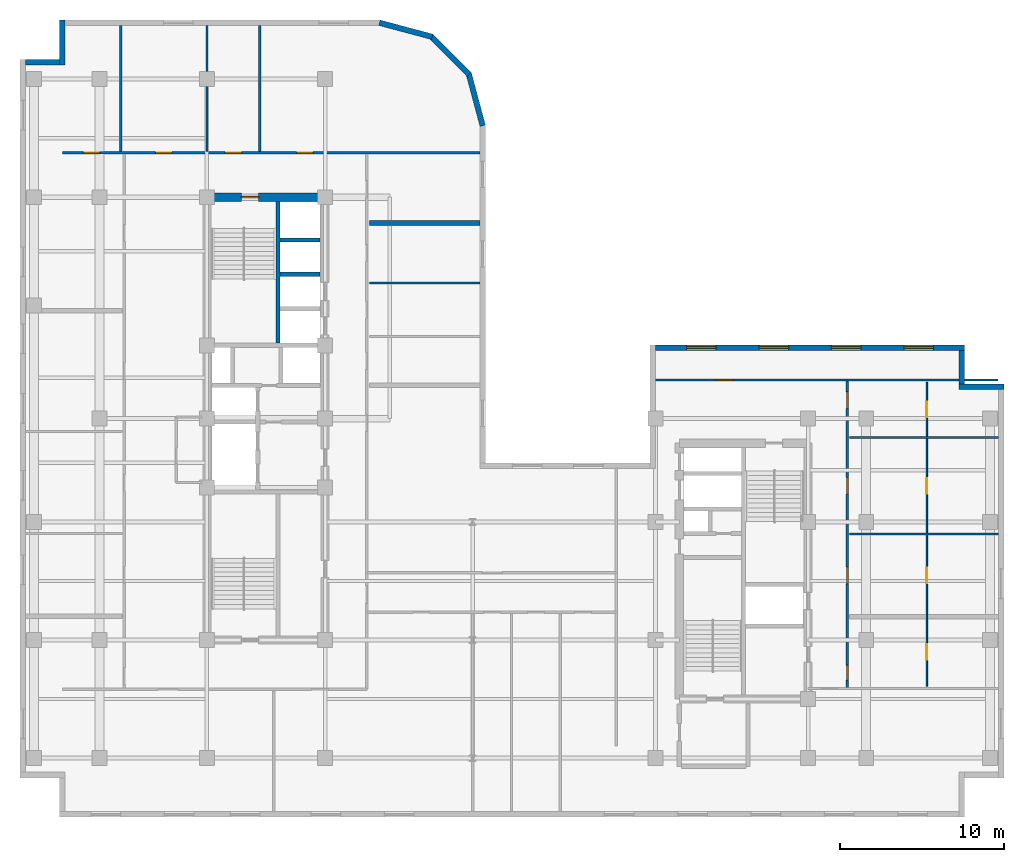
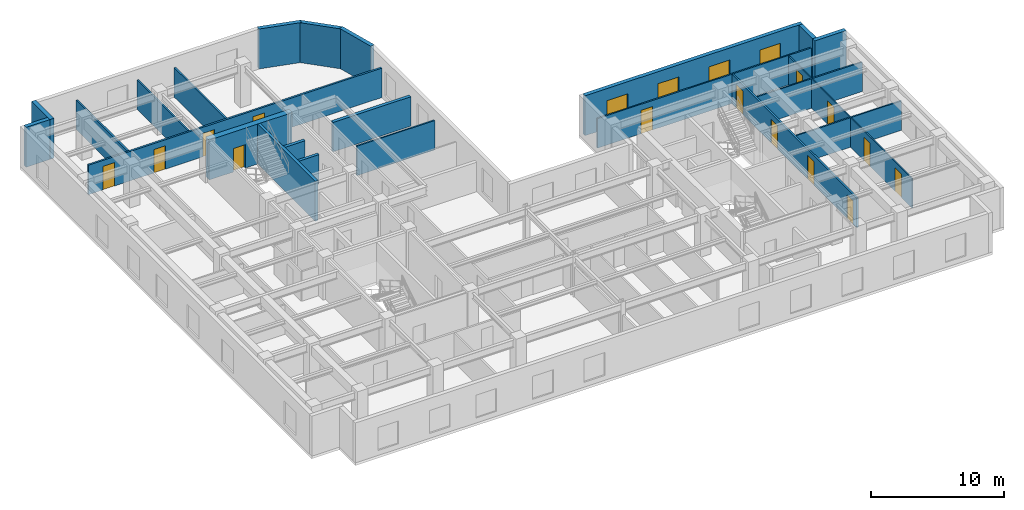
# One storey, part 7 of 11: 23 walls, 14 doors, 4 windows, 18 openings.
"""IFC4 building model written with IfcOpenShell, lengths in metres."""

from ifc_helpers import new_model, entity, si_unit, converted_unit, direction, frame, origin_with_axes, origin_2d_with_axis, place, context, subcontext, project, spatial, polyline, rectangle, outline, extrude, material, layer, layer_set, type_object, element, fill, save


model = new_model("IFC4")

# Units and contexts
model_context = context("Model", 3, precision=1e-05, world=origin_with_axes(), true_north=direction((0.0, 1.0)))
body_context = subcontext(model_context, "Body", "Model", "MODEL_VIEW")
ifc_project = project(units=[si_unit("LENGTHUNIT", "METRE"), si_unit("AREAUNIT", "SQUARE_METRE"), si_unit("VOLUMEUNIT", "CUBIC_METRE"), converted_unit("PLANEANGLEUNIT", "DEGREE", entity("IfcPlaneAngleMeasure", 0.017453292519943295), si_unit("PLANEANGLEUNIT", "RADIAN"), dimensions=[0, 0, 0, 0, 0, 0, 0]), si_unit("MASSUNIT", "GRAM", prefix="KILO"), si_unit("THERMODYNAMICTEMPERATUREUNIT", "KELVIN")], contexts=[model_context])

# Site, building, storey
site_placement = place(None, origin_with_axes())
site = spatial("IfcSite", under=ifc_project, at=site_placement, CompositionType="ELEMENT")
building_placement = place(site_placement, origin_with_axes())
building = spatial("IfcBuilding", under=site, at=building_placement, Name="Varnlund Millrace Tower", CompositionType="ELEMENT")
storey_placement = place(building_placement, frame((0.0, 0.0, 196.5), z_axis=(0.0, 0.0, 1.0), x_axis=(1.0, 0.0, 0.0)))
storey = spatial("IfcBuildingStorey", under=building, at=storey_placement, Name="L48", CompositionType="ELEMENT", Elevation=196.5)

# Wall, opening, door
ifc_material_1 = material(Name="Concrete C70/85", Category="concrete")
ifc_layer_1 = layer(ifc_material_1, 0.5, Name="Concrete C70/85")
ifc_layer_set_1 = layer_set([ifc_layer_1], Name="Concrete C70/85")
wall_type_1 = type_object("IfcWallType", Name="Type-CoreWall-Shear-500-C70", PredefinedType="SHEAR", material=ifc_layer_set_1)
wall_1_placement = place(storey_placement, frame((11.4, 37.8, 0.0), z_axis=(0.0, 0.0, 1.0), x_axis=(1.0, 0.0, 0.0)))
wall_1 = element("IfcWall", 1, at=wall_1_placement, inside=storey, type_object=wall_type_1, Name="Type-CoreWall-Shear-500-C70", PredefinedType="SHEAR", context=body_context, shape_type="SweptSolid", body=[
    extrude(outline(polyline([(0.0, -0.25), (7.2, -0.25), (7.2, 0.25), (0.0, 0.25), (0.0, -0.25)])), origin_with_axes(), (0.0, 0.0, 1.0), 3.66),
])
opening_1_placement = place(wall_1_placement, frame((2.625, 0.0, 0.0), z_axis=(0.0, 0.0, 1.0), x_axis=(1.0, 0.0, 0.0)))
opening_1 = element("IfcOpeningElement", 2, at=opening_1_placement, cuts=wall_1, Name="Opening L48:DR-STA2", PredefinedType="OPENING", context=body_context, shape_type="SweptSolid", body=[
    extrude(rectangle(XDim=1.05, YDim=0.52, at=origin_2d_with_axis()), origin_with_axes(), (0.0, 0.0, 1.0), 2.15),
])
ifc_material_2 = material(Name="Fire-rated hollow steel door", Category="steel")
door_type_1 = type_object("IfcDoorType", Name="Type-FireDoor-Stair-1050X2150", OperationType="NOTDEFINED", PredefinedType="DOOR", material=ifc_material_2)
door_1_placement = place(wall_1_placement, frame((2.625, 0.0, 0.0), z_axis=(0.0, 0.0, 1.0), x_axis=(1.0, 0.0, 0.0)))
door_1 = element("IfcDoor", 3, at=door_1_placement, inside=storey, type_object=door_type_1, Name="Type-FireDoor-Stair-1050X2150", OperationType="SINGLE_SWING_RIGHT", OverallHeight=2.15, OverallWidth=1.05, PredefinedType="DOOR", context=body_context, shape_type="SweptSolid", body=[
    extrude(rectangle(XDim=1.05, YDim=0.09, at=origin_2d_with_axis()), origin_with_axes(), (0.0, 0.0, 1.0), 2.15),
])
fill(opening_1, door_1)

# Wall, openings, windows
ifc_material_3 = material(Name="Precast concrete C50/60", Category="concrete")
ifc_layer_2 = layer(ifc_material_3, 0.34, Name="Precast concrete C50/60")
ifc_layer_set_2 = layer_set([ifc_layer_2], Name="Precast concrete C50/60")
wall_type_2 = type_object("IfcWallType", Name="Type-ExtWall-Precast-Upper-340", PredefinedType="SOLIDWALL", material=ifc_layer_set_2)
wall_2_placement = place(storey_placement, frame((38.74, 28.63, 0.0), z_axis=(0.0, 0.0, 1.0), x_axis=(1.0, 0.0, 0.0)))
wall_2 = element("IfcWall", 4, at=wall_2_placement, inside=storey, type_object=wall_type_2, Name="Type-ExtWall-Precast-Upper-340", PredefinedType="SOLIDWALL", context=body_context, shape_type="SweptSolid", body=[
    extrude(outline(polyline([(0.0, -0.17), (18.86, -0.17), (18.86, 0.17), (0.0, 0.17), (0.0, -0.17)])), origin_with_axes(), (0.0, 0.0, 1.0), 3.66),
])
opening_2_placement = place(wall_2_placement, frame((2.808, 0.0, 0.45), z_axis=(0.0, 0.0, 1.0), x_axis=(1.0, 0.0, 0.0)))
opening_2 = element("IfcOpeningElement", 5, at=opening_2_placement, cuts=wall_2, Name="Opening L48:WN-01", PredefinedType="OPENING", context=body_context, shape_type="SweptSolid", body=[
    extrude(rectangle(XDim=1.8, YDim=0.36, at=origin_2d_with_axis()), origin_with_axes(), (0.0, 0.0, 1.0), 2.1),
])
opening_3_placement = place(wall_2_placement, frame((7.222, 0.0, 0.45), z_axis=(0.0, 0.0, 1.0), x_axis=(1.0, 0.0, 0.0)))
opening_3 = element("IfcOpeningElement", 6, at=opening_3_placement, cuts=wall_2, Name="Opening L48:WN-02", PredefinedType="OPENING", context=body_context, shape_type="SweptSolid", body=[
    extrude(rectangle(XDim=1.8, YDim=0.36, at=origin_2d_with_axis()), origin_with_axes(), (0.0, 0.0, 1.0), 2.1),
])
opening_4_placement = place(wall_2_placement, frame((11.637, 0.0, 0.45), z_axis=(0.0, 0.0, 1.0), x_axis=(1.0, 0.0, 0.0)))
opening_4 = element("IfcOpeningElement", 7, at=opening_4_placement, cuts=wall_2, Name="Opening L48:WN-03", PredefinedType="OPENING", context=body_context, shape_type="SweptSolid", body=[
    extrude(rectangle(XDim=1.8, YDim=0.36, at=origin_2d_with_axis()), origin_with_axes(), (0.0, 0.0, 1.0), 2.1),
])
opening_5_placement = place(wall_2_placement, frame((16.053, 0.0, 0.45), z_axis=(0.0, 0.0, 1.0), x_axis=(1.0, 0.0, 0.0)))
opening_5 = element("IfcOpeningElement", 8, at=opening_5_placement, cuts=wall_2, Name="Opening L48:WN-04", PredefinedType="OPENING", context=body_context, shape_type="SweptSolid", body=[
    extrude(rectangle(XDim=1.8, YDim=0.36, at=origin_2d_with_axis()), origin_with_axes(), (0.0, 0.0, 1.0), 2.1),
])
ifc_material_4 = material(Name="Argon low-e triple glazing in thermally broken bronze frame", Category="glass")
window_type = type_object("IfcWindowType", Name="Type-Window-Punched-1800X2100", PartitioningType="SINGLE_PANEL", PredefinedType="WINDOW", material=ifc_material_4)
window_1_placement = place(wall_2_placement, frame((2.808, 0.0, 0.45), z_axis=(0.0, 0.0, 1.0), x_axis=(1.0, 0.0, 0.0)))
window_1 = element("IfcWindow", 9, at=window_1_placement, inside=storey, type_object=window_type, Name="Type-Window-Punched-1800X2100", OverallHeight=2.1, OverallWidth=1.8, PredefinedType="WINDOW", context=body_context, shape_type="SweptSolid", body=[
    extrude(rectangle(XDim=1.8, YDim=0.09, at=origin_2d_with_axis()), origin_with_axes(), (0.0, 0.0, 1.0), 2.1),
])
fill(opening_2, window_1)
window_2_placement = place(wall_2_placement, frame((7.222, 0.0, 0.45), z_axis=(0.0, 0.0, 1.0), x_axis=(1.0, 0.0, 0.0)))
window_2 = element("IfcWindow", 10, at=window_2_placement, inside=storey, type_object=window_type, Name="Type-Window-Punched-1800X2100", OverallHeight=2.1, OverallWidth=1.8, PredefinedType="WINDOW", context=body_context, shape_type="SweptSolid", body=[
    extrude(rectangle(XDim=1.8, YDim=0.09, at=origin_2d_with_axis()), origin_with_axes(), (0.0, 0.0, 1.0), 2.1),
])
fill(opening_3, window_2)
window_3_placement = place(wall_2_placement, frame((11.637, 0.0, 0.45), z_axis=(0.0, 0.0, 1.0), x_axis=(1.0, 0.0, 0.0)))
window_3 = element("IfcWindow", 11, at=window_3_placement, inside=storey, type_object=window_type, Name="Type-Window-Punched-1800X2100", OverallHeight=2.1, OverallWidth=1.8, PredefinedType="WINDOW", context=body_context, shape_type="SweptSolid", body=[
    extrude(rectangle(XDim=1.8, YDim=0.09, at=origin_2d_with_axis()), origin_with_axes(), (0.0, 0.0, 1.0), 2.1),
])
fill(opening_4, window_3)
window_4_placement = place(wall_2_placement, frame((16.053, 0.0, 0.45), z_axis=(0.0, 0.0, 1.0), x_axis=(1.0, 0.0, 0.0)))
window_4 = element("IfcWindow", 12, at=window_4_placement, inside=storey, type_object=window_type, Name="Type-Window-Punched-1800X2100", OverallHeight=2.1, OverallWidth=1.8, PredefinedType="WINDOW", context=body_context, shape_type="SweptSolid", body=[
    extrude(rectangle(XDim=1.8, YDim=0.09, at=origin_2d_with_axis()), origin_with_axes(), (0.0, 0.0, 1.0), 2.1),
])
fill(opening_5, window_4)

# Walls
wall_3_placement = place(storey_placement, frame((57.43, 28.46, 0.0), z_axis=(0.0, 0.0, 1.0), x_axis=(0.0, -1.0, 0.0)))
element("IfcWall", 13, at=wall_3_placement, inside=storey, type_object=wall_type_2, Name="Type-ExtWall-Precast-Upper-340", PredefinedType="SOLIDWALL", context=body_context, shape_type="SweptSolid", body=[
    extrude(outline(polyline([(0.0, -0.17), (2.06, -0.17), (2.06, 0.17), (0.0, 0.17), (0.0, -0.17)])), origin_with_axes(), (0.0, 0.0, 1.0), 3.66),
])
wall_4_placement = place(storey_placement, frame((57.26, 26.23, 0.0), z_axis=(0.0, 0.0, 1.0), x_axis=(1.0, 0.0, 0.0)))
element("IfcWall", 14, at=wall_4_placement, inside=storey, type_object=wall_type_2, Name="Type-ExtWall-Precast-Upper-340", PredefinedType="SOLIDWALL", context=body_context, shape_type="SweptSolid", body=[
    extrude(outline(polyline([(0.0, -0.17), (2.74, -0.17), (2.74, 0.17), (0.0, 0.17), (0.0, -0.17)])), origin_with_axes(), (0.0, 0.0, 1.0), 3.66),
])
wall_5_placement = place(storey_placement, frame((0.34, 46.03, 0.0), z_axis=(0.0, 0.0, 1.0), x_axis=(1.0, 0.0, 0.0)))
element("IfcWall", 15, at=wall_5_placement, inside=storey, type_object=wall_type_2, Name="Type-ExtWall-Precast-Upper-340", PredefinedType="SOLIDWALL", context=body_context, shape_type="SweptSolid", body=[
    extrude(outline(polyline([(0.0, -0.17), (2.06, -0.17), (2.06, 0.17), (0.0, 0.17), (0.0, -0.17)])), origin_with_axes(), (0.0, 0.0, 1.0), 3.66),
])
wall_6_placement = place(storey_placement, frame((2.57, 45.86, 0.0), z_axis=(0.0, 0.0, 1.0), x_axis=(0.0, 1.0, 0.0)))
element("IfcWall", 16, at=wall_6_placement, inside=storey, type_object=wall_type_2, Name="Type-ExtWall-Precast-Upper-340", PredefinedType="SOLIDWALL", context=body_context, shape_type="SweptSolid", body=[
    extrude(outline(polyline([(0.0, -0.17), (2.74, -0.17), (2.74, 0.17), (0.0, 0.17), (0.0, -0.17)])), origin_with_axes(), (0.0, 0.0, 1.0), 3.66),
])
wall_7_placement = place(storey_placement, frame((21.916, 48.441, 0.0), z_axis=(0.0, 0.0, 1.0), x_axis=(0.965965, -0.258671, 0.0)))
element("IfcWall", 17, at=wall_7_placement, inside=storey, type_object=wall_type_2, Name="Type-ExtWall-Precast-Upper-340", PredefinedType="SOLIDWALL", context=body_context, shape_type="SweptSolid", body=[
    extrude(outline(polyline([(0.0, -0.17), (3.332417, -0.17), (3.332417, 0.17), (0.0, 0.17), (0.0, -0.17)])), origin_with_axes(), (0.0, 0.0, 1.0), 3.66),
])
wall_8_placement = place(storey_placement, frame((25.045, 47.637, 0.0), z_axis=(0.0, 0.0, 1.0), x_axis=(0.707107, -0.707107, 0.0)))
element("IfcWall", 18, at=wall_8_placement, inside=storey, type_object=wall_type_2, Name="Type-ExtWall-Precast-Upper-340", PredefinedType="SOLIDWALL", context=body_context, shape_type="SweptSolid", body=[
    extrude(outline(polyline([(0.0, -0.17), (3.333301, -0.17), (3.333301, 0.17), (0.0, 0.17), (0.0, -0.17)])), origin_with_axes(), (0.0, 0.0, 1.0), 3.66),
])
wall_9_placement = place(storey_placement, frame((27.353, 45.375, 0.0), z_axis=(0.0, 0.0, 1.0), x_axis=(0.258671, -0.965965, 0.0)))
element("IfcWall", 19, at=wall_9_placement, inside=storey, type_object=wall_type_2, Name="Type-ExtWall-Precast-Upper-340", PredefinedType="SOLIDWALL", context=body_context, shape_type="SweptSolid", body=[
    extrude(outline(polyline([(0.0, -0.17), (3.332417, -0.17), (3.332417, 0.17), (0.0, 0.17), (0.0, -0.17)])), origin_with_axes(), (0.0, 0.0, 1.0), 3.66),
])
ifc_material_5 = material(Name="Double-stud STC-60 conference acoustic partition", Category="gypsum")
ifc_layer_3 = layer(ifc_material_5, 0.28, Name="Double-stud STC-60 conference acoustic partition")
ifc_layer_set_3 = layer_set([ifc_layer_3], Name="Double-stud STC-60 conference acoustic partition")
wall_type_3 = type_object("IfcWallType", Name="Type-Partition-Acoustic-280", PredefinedType="PARTITIONING", material=ifc_layer_set_3)
wall_10_placement = place(storey_placement, frame((21.3, 36.226, 0.0), z_axis=(0.0, 0.0, 1.0), x_axis=(1.0, 0.0, 0.0)))
element("IfcWall", 20, at=wall_10_placement, inside=storey, type_object=wall_type_3, Name="Type-Partition-Acoustic-280", PredefinedType="PARTITIONING", context=body_context, shape_type="SweptSolid", body=[
    extrude(outline(polyline([(0.0, -0.14), (6.744, -0.14), (6.744, 0.14), (0.0, 0.14), (0.0, -0.14)])), origin_with_axes(), (0.0, 0.0, 1.0), 2.7),
])

# Wall, openings, doors
ifc_material_6 = material(Name="Fire-rated gypsum board on cold-formed steel framing", Category="steel")
ifc_layer_4 = layer(ifc_material_6, 0.16, Name="Fire-rated gypsum board on cold-formed steel framing")
ifc_layer_set_4 = layer_set([ifc_layer_4], Name="Fire-rated gypsum board on cold-formed steel framing")
wall_type_4 = type_object("IfcWallType", Name="Type-Partition-Corridor-160", PredefinedType="PARTITIONING", material=ifc_layer_set_4)
wall_11_placement = place(storey_placement, frame((2.6, 40.5, 0.0), z_axis=(0.0, 0.0, 1.0), x_axis=(1.0, 0.0, 0.0)))
wall_11 = element("IfcWall", 21, at=wall_11_placement, inside=storey, type_object=wall_type_4, Name="Type-Partition-Corridor-160", PredefinedType="PARTITIONING", context=body_context, shape_type="SweptSolid", body=[
    extrude(outline(polyline([(0.0, -0.08), (25.444, -0.08), (25.444, 0.08), (0.0, 0.08), (0.0, -0.08)])), origin_with_axes(), (0.0, 0.0, 1.0), 2.7),
])
opening_6_placement = place(wall_11_placement, frame((1.7615, 0.0, 0.0), z_axis=(0.0, 0.0, 1.0), x_axis=(1.0, 0.0, 0.0)))
opening_6 = element("IfcOpeningElement", 22, at=opening_6_placement, cuts=wall_11, Name="Opening L48:DR-WAN-01", PredefinedType="OPENING", context=body_context, shape_type="SweptSolid", body=[
    extrude(rectangle(XDim=1.0, YDim=0.18, at=origin_2d_with_axis()), origin_with_axes(), (0.0, 0.0, 1.0), 2.15),
])
opening_7_placement = place(wall_11_placement, frame((6.1665, 0.0, 0.0), z_axis=(0.0, 0.0, 1.0), x_axis=(1.0, 0.0, 0.0)))
opening_7 = element("IfcOpeningElement", 23, at=opening_7_placement, cuts=wall_11, Name="Opening L48:DR-WAN-02", PredefinedType="OPENING", context=body_context, shape_type="SweptSolid", body=[
    extrude(rectangle(XDim=1.0, YDim=0.18, at=origin_2d_with_axis()), origin_with_axes(), (0.0, 0.0, 1.0), 2.15),
])
opening_8_placement = place(wall_11_placement, frame((10.413, 0.0, 0.0), z_axis=(0.0, 0.0, 1.0), x_axis=(1.0, 0.0, 0.0)))
opening_8 = element("IfcOpeningElement", 24, at=opening_8_placement, cuts=wall_11, Name="Opening L48:DR-WAN-03", PredefinedType="OPENING", context=body_context, shape_type="SweptSolid", body=[
    extrude(rectangle(XDim=1.0, YDim=0.18, at=origin_2d_with_axis()), origin_with_axes(), (0.0, 0.0, 1.0), 2.15),
])
opening_9_placement = place(wall_11_placement, frame((14.773, 0.0, 0.0), z_axis=(0.0, 0.0, 1.0), x_axis=(1.0, 0.0, 0.0)))
opening_9 = element("IfcOpeningElement", 25, at=opening_9_placement, cuts=wall_11, Name="Opening L48:DR-WAN-04", PredefinedType="OPENING", context=body_context, shape_type="SweptSolid", body=[
    extrude(rectangle(XDim=1.0, YDim=0.18, at=origin_2d_with_axis()), origin_with_axes(), (0.0, 0.0, 1.0), 2.15),
])
ifc_material_7 = material(Name="Solid-core white oak and bronze frame door")
door_type_2 = type_object("IfcDoorType", Name="Type-IntDoor-Office-1000X2150", OperationType="NOTDEFINED", PredefinedType="DOOR", material=ifc_material_7)
door_2_placement = place(wall_11_placement, frame((1.7615, 0.0, 0.0), z_axis=(0.0, 0.0, 1.0), x_axis=(1.0, 0.0, 0.0)))
door_2 = element("IfcDoor", 26, at=door_2_placement, inside=storey, type_object=door_type_2, Name="Type-IntDoor-Office-1000X2150", OperationType="SINGLE_SWING_LEFT", OverallHeight=2.15, OverallWidth=1.0, PredefinedType="DOOR", context=body_context, shape_type="SweptSolid", body=[
    extrude(rectangle(XDim=1.0, YDim=0.09, at=origin_2d_with_axis()), origin_with_axes(), (0.0, 0.0, 1.0), 2.15),
])
fill(opening_6, door_2)
door_3_placement = place(wall_11_placement, frame((6.1665, 0.0, 0.0), z_axis=(0.0, 0.0, 1.0), x_axis=(1.0, 0.0, 0.0)))
door_3 = element("IfcDoor", 27, at=door_3_placement, inside=storey, type_object=door_type_2, Name="Type-IntDoor-Office-1000X2150", OperationType="SINGLE_SWING_RIGHT", OverallHeight=2.15, OverallWidth=1.0, PredefinedType="DOOR", context=body_context, shape_type="SweptSolid", body=[
    extrude(rectangle(XDim=1.0, YDim=0.09, at=origin_2d_with_axis()), origin_with_axes(), (0.0, 0.0, 1.0), 2.15),
])
fill(opening_7, door_3)
door_4_placement = place(wall_11_placement, frame((10.413, 0.0, 0.0), z_axis=(0.0, 0.0, 1.0), x_axis=(1.0, 0.0, 0.0)))
door_4 = element("IfcDoor", 28, at=door_4_placement, inside=storey, type_object=door_type_2, Name="Type-IntDoor-Office-1000X2150", OperationType="SINGLE_SWING_LEFT", OverallHeight=2.15, OverallWidth=1.0, PredefinedType="DOOR", context=body_context, shape_type="SweptSolid", body=[
    extrude(rectangle(XDim=1.0, YDim=0.09, at=origin_2d_with_axis()), origin_with_axes(), (0.0, 0.0, 1.0), 2.15),
])
fill(opening_8, door_4)
door_5_placement = place(wall_11_placement, frame((14.773, 0.0, 0.0), z_axis=(0.0, 0.0, 1.0), x_axis=(1.0, 0.0, 0.0)))
door_5 = element("IfcDoor", 29, at=door_5_placement, inside=storey, type_object=door_type_2, Name="Type-IntDoor-Office-1000X2150", OperationType="SINGLE_SWING_RIGHT", OverallHeight=2.15, OverallWidth=1.0, PredefinedType="DOOR", context=body_context, shape_type="SweptSolid", body=[
    extrude(rectangle(XDim=1.0, YDim=0.09, at=origin_2d_with_axis()), origin_with_axes(), (0.0, 0.0, 1.0), 2.15),
])
fill(opening_9, door_5)

wall_12_placement = place(storey_placement, frame((50.45, 7.85, 0.0), z_axis=(0.0, 0.0, 1.0), x_axis=(0.0, 1.0, 0.0)))
wall_12 = element("IfcWall", 30, at=wall_12_placement, inside=storey, type_object=wall_type_4, Name="Type-Partition-Corridor-160", PredefinedType="PARTITIONING", context=body_context, shape_type="SweptSolid", body=[
    extrude(outline(polyline([(0.0, -0.08), (18.8, -0.08), (18.8, 0.08), (0.0, 0.08), (0.0, -0.08)])), origin_with_axes(), (0.0, 0.0, 1.0), 2.7),
])
opening_10_placement = place(wall_12_placement, frame((0.96, 0.0, 0.0), z_axis=(0.0, 0.0, 1.0), x_axis=(1.0, 0.0, 0.0)))
opening_10 = element("IfcOpeningElement", 31, at=opening_10_placement, cuts=wall_12, Name="Opening L48:DR-WB-01", PredefinedType="OPENING", context=body_context, shape_type="SweptSolid", body=[
    extrude(rectangle(XDim=0.9, YDim=0.18, at=origin_2d_with_axis()), origin_with_axes(), (0.0, 0.0, 1.0), 2.15),
])
opening_11_placement = place(wall_12_placement, frame((6.8875, 0.0, 0.0), z_axis=(0.0, 0.0, 1.0), x_axis=(1.0, 0.0, 0.0)))
opening_11 = element("IfcOpeningElement", 32, at=opening_11_placement, cuts=wall_12, Name="Opening L48:DR-WB-02", PredefinedType="OPENING", context=body_context, shape_type="SweptSolid", body=[
    extrude(rectangle(XDim=1.0, YDim=0.18, at=origin_2d_with_axis()), origin_with_axes(), (0.0, 0.0, 1.0), 2.15),
])
opening_12_placement = place(wall_12_placement, frame((12.353, 0.0, 0.0), z_axis=(0.0, 0.0, 1.0), x_axis=(1.0, 0.0, 0.0)))
opening_12 = element("IfcOpeningElement", 33, at=opening_12_placement, cuts=wall_12, Name="Opening L48:DR-WB-03", PredefinedType="OPENING", context=body_context, shape_type="SweptSolid", body=[
    extrude(rectangle(XDim=1.0, YDim=0.18, at=origin_2d_with_axis()), origin_with_axes(), (0.0, 0.0, 1.0), 2.15),
])
opening_13_placement = place(wall_12_placement, frame((17.575, 0.0, 0.0), z_axis=(0.0, 0.0, 1.0), x_axis=(1.0, 0.0, 0.0)))
opening_13 = element("IfcOpeningElement", 34, at=opening_13_placement, cuts=wall_12, Name="Opening L48:DR-WB-04", PredefinedType="OPENING", context=body_context, shape_type="SweptSolid", body=[
    extrude(rectangle(XDim=1.0, YDim=0.18, at=origin_2d_with_axis()), origin_with_axes(), (0.0, 0.0, 1.0), 2.15),
])
ifc_material_8 = material(Name="Painted steel riser and closet door", Category="steel")
door_type_3 = type_object("IfcDoorType", Name="Type-IntDoor-Closet-900X2150", OperationType="NOTDEFINED", PredefinedType="DOOR", material=ifc_material_8)
door_6_placement = place(wall_12_placement, frame((0.96, 0.0, 0.0), z_axis=(0.0, 0.0, 1.0), x_axis=(1.0, 0.0, 0.0)))
door_6 = element("IfcDoor", 35, at=door_6_placement, inside=storey, type_object=door_type_3, Name="Type-IntDoor-Closet-900X2150", OperationType="SINGLE_SWING_LEFT", OverallHeight=2.15, OverallWidth=0.9, PredefinedType="DOOR", context=body_context, shape_type="SweptSolid", body=[
    extrude(rectangle(XDim=0.9, YDim=0.09, at=origin_2d_with_axis()), origin_with_axes(), (0.0, 0.0, 1.0), 2.15),
])
fill(opening_10, door_6)
door_7_placement = place(wall_12_placement, frame((6.8875, 0.0, 0.0), z_axis=(0.0, 0.0, 1.0), x_axis=(1.0, 0.0, 0.0)))
door_7 = element("IfcDoor", 36, at=door_7_placement, inside=storey, type_object=door_type_2, Name="Type-IntDoor-Office-1000X2150", OperationType="SINGLE_SWING_RIGHT", OverallHeight=2.15, OverallWidth=1.0, PredefinedType="DOOR", context=body_context, shape_type="SweptSolid", body=[
    extrude(rectangle(XDim=1.0, YDim=0.09, at=origin_2d_with_axis()), origin_with_axes(), (0.0, 0.0, 1.0), 2.15),
])
fill(opening_11, door_7)
door_8_placement = place(wall_12_placement, frame((12.353, 0.0, 0.0), z_axis=(0.0, 0.0, 1.0), x_axis=(1.0, 0.0, 0.0)))
door_8 = element("IfcDoor", 37, at=door_8_placement, inside=storey, type_object=door_type_2, Name="Type-IntDoor-Office-1000X2150", OperationType="SINGLE_SWING_LEFT", OverallHeight=2.15, OverallWidth=1.0, PredefinedType="DOOR", context=body_context, shape_type="SweptSolid", body=[
    extrude(rectangle(XDim=1.0, YDim=0.09, at=origin_2d_with_axis()), origin_with_axes(), (0.0, 0.0, 1.0), 2.15),
])
fill(opening_12, door_8)
door_9_placement = place(wall_12_placement, frame((17.575, 0.0, 0.0), z_axis=(0.0, 0.0, 1.0), x_axis=(1.0, 0.0, 0.0)))
door_9 = element("IfcDoor", 38, at=door_9_placement, inside=storey, type_object=door_type_2, Name="Type-IntDoor-Office-1000X2150", OperationType="SINGLE_SWING_RIGHT", OverallHeight=2.15, OverallWidth=1.0, PredefinedType="DOOR", context=body_context, shape_type="SweptSolid", body=[
    extrude(rectangle(XDim=1.0, YDim=0.09, at=origin_2d_with_axis()), origin_with_axes(), (0.0, 0.0, 1.0), 2.15),
])
fill(opening_13, door_9)

# Walls
ifc_material_9 = material(Name="Acoustic STC-50 gypsum board partition", Category="gypsum")
ifc_layer_5 = layer(ifc_material_9, 0.15, Name="Acoustic STC-50 gypsum board partition")
ifc_layer_set_5 = layer_set([ifc_layer_5], Name="Acoustic STC-50 gypsum board partition")
wall_type_5 = type_object("IfcWallType", Name="Type-Partition-Demising-150", PredefinedType="PARTITIONING", material=ifc_layer_set_5)
for number, where, z_axis, x_axis, name in (
    (39, (6.133, 40.6, 0.0), (0.0, 0.0, 1.0), (0.0, 1.0, 0.0), "Type-Partition-Demising-150"),
    (40, (14.626, 40.6, 0.0), (0.0, 0.0, 1.0), (0.0, 1.0, 0.0), "Type-Partition-Demising-150"),
):
    element("IfcWall", number, at=place(storey_placement, frame(where, z_axis=z_axis, x_axis=x_axis)), inside=storey, type_object=wall_type_5, Name=name, PredefinedType="PARTITIONING", context=body_context, shape_type="SweptSolid", body=[
        extrude(outline(polyline([(0.0, -0.075), (7.665, -0.075), (7.665, 0.075), (0.0, 0.075), (0.0, -0.075)])), origin_with_axes(), (0.0, 0.0, 1.0), 2.7),
    ])

# Wall, openings, doors
ifc_material_10 = material(Name="Architectural bronze and acoustic glass office front", Category="glass")
ifc_layer_6 = layer(ifc_material_10, 0.1, Name="Architectural bronze and acoustic glass office front")
ifc_layer_set_6 = layer_set([ifc_layer_6], Name="Architectural bronze and acoustic glass office front")
wall_type_6 = type_object("IfcWallType", Name="Type-Partition-Glazed-100", PredefinedType="PARTITIONING", material=ifc_layer_set_6)
wall_13_placement = place(storey_placement, frame((55.3, 7.98, 0.0), z_axis=(0.0, 0.0, 1.0), x_axis=(0.0, 1.0, 0.0)))
wall_13 = element("IfcWall", 41, at=wall_13_placement, inside=storey, type_object=wall_type_6, Name="Type-Partition-Glazed-100", PredefinedType="PARTITIONING", context=body_context, shape_type="SweptSolid", body=[
    extrude(outline(polyline([(0.0, -0.05), (18.54, -0.05), (18.54, 0.05), (0.0, 0.05), (0.0, -0.05)])), origin_with_axes(), (0.0, 0.0, 1.0), 2.7),
])
opening_14_placement = place(wall_13_placement, frame((2.0795, 0.0, 0.0), z_axis=(0.0, 0.0, 1.0), x_axis=(1.0, 0.0, 0.0)))
opening_14 = element("IfcOpeningElement", 42, at=opening_14_placement, cuts=wall_13, Name="Opening L48:DR-WB-S01", PredefinedType="OPENING", context=body_context, shape_type="SweptSolid", body=[
    extrude(rectangle(XDim=0.95, YDim=0.12, at=origin_2d_with_axis()), origin_with_axes(), (0.0, 0.0, 1.0), 2.15),
])
opening_15_placement = place(wall_13_placement, frame((6.7575, 0.0, 0.0), z_axis=(0.0, 0.0, 1.0), x_axis=(1.0, 0.0, 0.0)))
opening_15 = element("IfcOpeningElement", 43, at=opening_15_placement, cuts=wall_13, Name="Opening L48:DR-WB-S02", PredefinedType="OPENING", context=body_context, shape_type="SweptSolid", body=[
    extrude(rectangle(XDim=0.95, YDim=0.12, at=origin_2d_with_axis()), origin_with_axes(), (0.0, 0.0, 1.0), 2.15),
])
opening_16_placement = place(wall_13_placement, frame((12.223, 0.0, 0.0), z_axis=(0.0, 0.0, 1.0), x_axis=(1.0, 0.0, 0.0)))
opening_16 = element("IfcOpeningElement", 44, at=opening_16_placement, cuts=wall_13, Name="Opening L48:DR-WB-S03", PredefinedType="OPENING", context=body_context, shape_type="SweptSolid", body=[
    extrude(rectangle(XDim=0.95, YDim=0.12, at=origin_2d_with_axis()), origin_with_axes(), (0.0, 0.0, 1.0), 2.15),
])
opening_17_placement = place(wall_13_placement, frame((16.885, 0.0, 0.0), z_axis=(0.0, 0.0, 1.0), x_axis=(1.0, 0.0, 0.0)))
opening_17 = element("IfcOpeningElement", 45, at=opening_17_placement, cuts=wall_13, Name="Opening L48:DR-WB-S04", PredefinedType="OPENING", context=body_context, shape_type="SweptSolid", body=[
    extrude(rectangle(XDim=0.95, YDim=0.12, at=origin_2d_with_axis()), origin_with_axes(), (0.0, 0.0, 1.0), 2.15),
])
ifc_material_11 = material(Name="Solid-core acoustic office door")
door_type_4 = type_object("IfcDoorType", Name="Type-IntDoor-Tenant-950X2150", OperationType="NOTDEFINED", PredefinedType="DOOR", material=ifc_material_11)
door_10_placement = place(wall_13_placement, frame((2.0795, 0.0, 0.0), z_axis=(0.0, 0.0, 1.0), x_axis=(1.0, 0.0, 0.0)))
door_10 = element("IfcDoor", 46, at=door_10_placement, inside=storey, type_object=door_type_4, Name="Type-IntDoor-Tenant-950X2150", OperationType="SINGLE_SWING_LEFT", OverallHeight=2.15, OverallWidth=0.95, PredefinedType="DOOR", context=body_context, shape_type="SweptSolid", body=[
    extrude(rectangle(XDim=0.95, YDim=0.06, at=origin_2d_with_axis()), origin_with_axes(), (0.0, 0.0, 1.0), 2.15),
])
fill(opening_14, door_10)
door_11_placement = place(wall_13_placement, frame((6.7575, 0.0, 0.0), z_axis=(0.0, 0.0, 1.0), x_axis=(1.0, 0.0, 0.0)))
door_11 = element("IfcDoor", 47, at=door_11_placement, inside=storey, type_object=door_type_4, Name="Type-IntDoor-Tenant-950X2150", OperationType="SINGLE_SWING_LEFT", OverallHeight=2.15, OverallWidth=0.95, PredefinedType="DOOR", context=body_context, shape_type="SweptSolid", body=[
    extrude(rectangle(XDim=0.95, YDim=0.06, at=origin_2d_with_axis()), origin_with_axes(), (0.0, 0.0, 1.0), 2.15),
])
fill(opening_15, door_11)
door_12_placement = place(wall_13_placement, frame((12.223, 0.0, 0.0), z_axis=(0.0, 0.0, 1.0), x_axis=(1.0, 0.0, 0.0)))
door_12 = element("IfcDoor", 48, at=door_12_placement, inside=storey, type_object=door_type_4, Name="Type-IntDoor-Tenant-950X2150", OperationType="SINGLE_SWING_LEFT", OverallHeight=2.15, OverallWidth=0.95, PredefinedType="DOOR", context=body_context, shape_type="SweptSolid", body=[
    extrude(rectangle(XDim=0.95, YDim=0.06, at=origin_2d_with_axis()), origin_with_axes(), (0.0, 0.0, 1.0), 2.15),
])
fill(opening_16, door_12)
door_13_placement = place(wall_13_placement, frame((16.885, 0.0, 0.0), z_axis=(0.0, 0.0, 1.0), x_axis=(1.0, 0.0, 0.0)))
door_13 = element("IfcDoor", 49, at=door_13_placement, inside=storey, type_object=door_type_4, Name="Type-IntDoor-Tenant-950X2150", OperationType="SINGLE_SWING_LEFT", OverallHeight=2.15, OverallWidth=0.95, PredefinedType="DOOR", context=body_context, shape_type="SweptSolid", body=[
    extrude(rectangle(XDim=0.95, YDim=0.06, at=origin_2d_with_axis()), origin_with_axes(), (0.0, 0.0, 1.0), 2.15),
])
fill(opening_17, door_13)

# Walls
ifc_material_12 = material(Name="Gypsum board tenant partition", Category="gypsum")
ifc_layer_7 = layer(ifc_material_12, 0.125, Name="Gypsum board tenant partition")
ifc_layer_set_7 = layer_set([ifc_layer_7], Name="Gypsum board tenant partition")
wall_type_7 = type_object("IfcWallType", Name="Type-Partition-Tenant-125", PredefinedType="PARTITIONING", material=ifc_layer_set_7)
wall_14_placement = place(storey_placement, frame((11.4, 40.6, 0.0), z_axis=(0.0, 0.0, 1.0), x_axis=(0.0, 1.0, 0.0)))
element("IfcWall", 50, at=wall_14_placement, inside=storey, type_object=wall_type_7, Name="Type-Partition-Tenant-125", PredefinedType="PARTITIONING", context=body_context, shape_type="SweptSolid", body=[
    extrude(outline(polyline([(0.0, -0.0625), (7.665, -0.0625), (7.665, 0.0625), (0.0, 0.0625), (0.0, -0.0625)])), origin_with_axes(), (0.0, 0.0, 1.0), 2.7),
])
wall_15_placement = place(storey_placement, frame((21.3, 32.562, 0.0), z_axis=(0.0, 0.0, 1.0), x_axis=(1.0, 0.0, 0.0)))
element("IfcWall", 51, at=wall_15_placement, inside=storey, type_object=wall_type_7, Name="Type-Partition-Tenant-125", PredefinedType="PARTITIONING", context=body_context, shape_type="SweptSolid", body=[
    extrude(outline(polyline([(0.0, -0.0625), (6.744, -0.0625), (6.744, 0.0625), (0.0, 0.0625), (0.0, -0.0625)])), origin_with_axes(), (0.0, 0.0, 1.0), 2.7),
])

# Wall, opening, door
wall_16_placement = place(storey_placement, frame((38.735, 26.65, 0.0), z_axis=(0.0, 0.0, 1.0), x_axis=(1.0, 0.0, 0.0)))
wall_16 = element("IfcWall", 52, at=wall_16_placement, inside=storey, type_object=wall_type_7, Name="Type-Partition-Tenant-125", PredefinedType="PARTITIONING", context=body_context, shape_type="SweptSolid", body=[
    extrude(outline(polyline([(0.0, -0.0625), (20.905, -0.0625), (20.905, 0.0625), (0.0, 0.0625), (0.0, -0.0625)])), origin_with_axes(), (0.0, 0.0, 1.0), 2.7),
])
opening_18_placement = place(wall_16_placement, frame((4.265, 0.0, 0.0), z_axis=(0.0, 0.0, 1.0), x_axis=(1.0, 0.0, 0.0)))
opening_18 = element("IfcOpeningElement", 53, at=opening_18_placement, cuts=wall_16, Name="Opening L48:DR-WBN-01", PredefinedType="OPENING", context=body_context, shape_type="SweptSolid", body=[
    extrude(rectangle(XDim=1.0, YDim=0.145, at=origin_2d_with_axis()), origin_with_axes(), (0.0, 0.0, 1.0), 2.15),
])
door_14_placement = place(wall_16_placement, frame((4.265, 0.0, 0.0), z_axis=(0.0, 0.0, 1.0), x_axis=(1.0, 0.0, 0.0)))
door_14 = element("IfcDoor", 54, at=door_14_placement, inside=storey, type_object=door_type_2, Name="Type-IntDoor-Office-1000X2150", OperationType="SINGLE_SWING_RIGHT", OverallHeight=2.15, OverallWidth=1.0, PredefinedType="DOOR", context=body_context, shape_type="SweptSolid", body=[
    extrude(rectangle(XDim=1.0, YDim=0.075, at=origin_2d_with_axis()), origin_with_axes(), (0.0, 0.0, 1.0), 2.15),
])
fill(opening_18, door_14)

# Walls
for number, where, z_axis, x_axis, name in (
    (55, (50.57, 17.266, 0.0), (0.0, 0.0, 1.0), (1.0, 0.0, 0.0), "Type-Partition-Tenant-125"),
    (56, (50.57, 23.14, 0.0), (0.0, 0.0, 1.0), (1.0, 0.0, 0.0), "Type-Partition-Tenant-125"),
):
    element("IfcWall", number, at=place(storey_placement, frame(where, z_axis=z_axis, x_axis=x_axis)), inside=storey, type_object=wall_type_7, Name=name, PredefinedType="PARTITIONING", context=body_context, shape_type="SweptSolid", body=[
        extrude(outline(polyline([(0.0, -0.0625), (9.095, -0.0625), (9.095, 0.0625), (0.0, 0.0625), (0.0, -0.0625)])), origin_with_axes(), (0.0, 0.0, 1.0), 2.7),
    ])
ifc_material_13 = material(Name="Concrete C60/75", Category="concrete")
ifc_layer_8 = layer(ifc_material_13, 0.25, Name="Concrete C60/75")
ifc_layer_set_8 = layer_set([ifc_layer_8], Name="Concrete C60/75")
wall_type_8 = type_object("IfcWallType", Name="Type-ShaftWall-Fire-250", PredefinedType="SOLIDWALL", material=ifc_layer_set_8)
for number, where, z_axis, x_axis, name in (
    (57, (15.84, 33.1, 0.0), (0.0, 0.0, 1.0), (1.0, 0.0, 0.0), "Type-ShaftWall-Fire-250"),
    (58, (15.84, 35.2, 0.0), (0.0, 0.0, 1.0), (1.0, 0.0, 0.0), "Type-ShaftWall-Fire-250"),
):
    element("IfcWall", number, at=place(storey_placement, frame(where, z_axis=z_axis, x_axis=x_axis)), inside=storey, type_object=wall_type_8, Name=name, PredefinedType="SOLIDWALL", context=body_context, shape_type="SweptSolid", body=[
        extrude(outline(polyline([(0.0, -0.125), (2.46, -0.125), (2.46, 0.125), (0.0, 0.125), (0.0, -0.125)])), origin_with_axes(), (0.0, 0.0, 1.0), 2.7),
    ])
wall_type_9 = type_object("IfcWallType", Name="Type-StairWall-Shear-250", PredefinedType="SHEAR", material=ifc_layer_set_8)
wall_17_placement = place(storey_placement, frame((15.725, 28.9, 0.0), z_axis=(0.0, 0.0, 1.0), x_axis=(0.0, 1.0, 0.0)))
element("IfcWall", 59, at=wall_17_placement, inside=storey, type_object=wall_type_9, Name="Type-StairWall-Shear-250", PredefinedType="SHEAR", context=body_context, shape_type="SweptSolid", body=[
    extrude(outline(polyline([(0.0, -0.125), (8.65, -0.125), (8.65, 0.125), (0.0, 0.125), (0.0, -0.125)])), origin_with_axes(), (0.0, 0.0, 1.0), 3.66),
])

save(model, "model.ifc")
